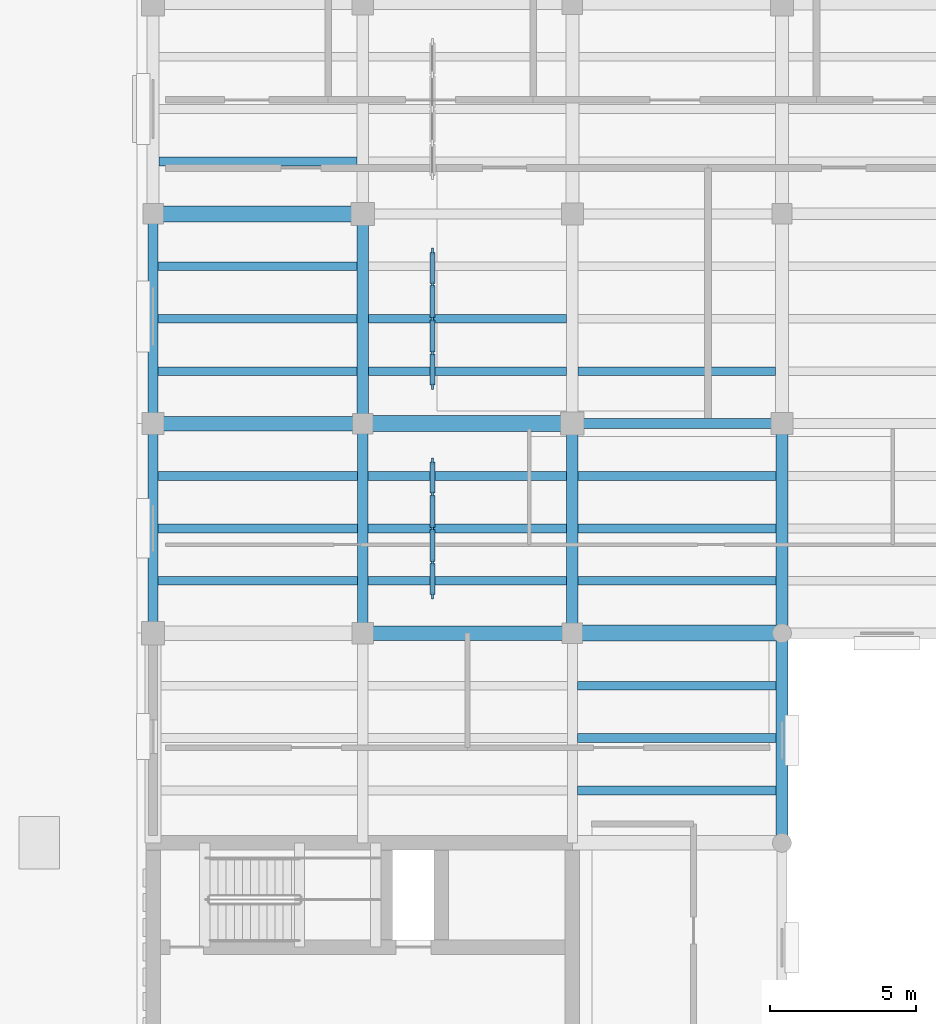
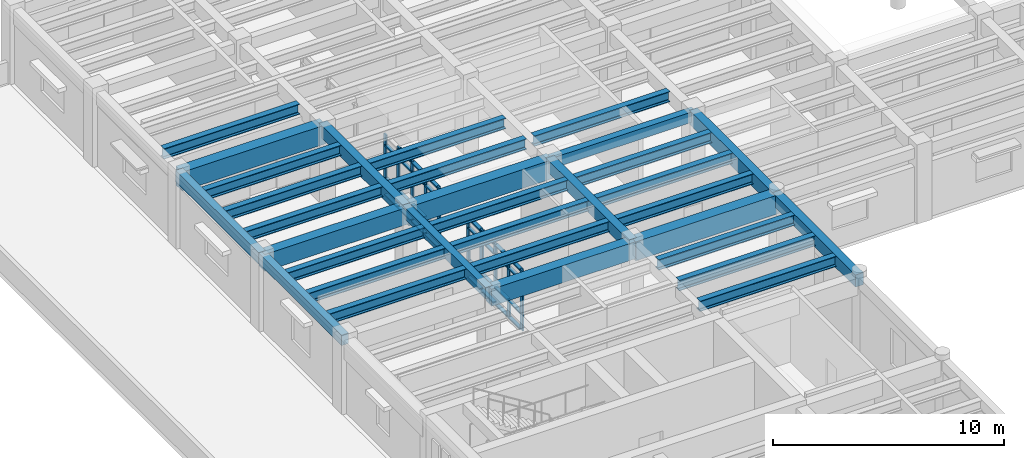
# One storey, part 13 of 76: 41 members, 32 beams, 2 elements without a shape of their own.
"""IFC4 building model written with IfcOpenShell, lengths in metres."""

from ifc_helpers import new_model, si_unit, direction, frame, origin, origin_2d, place, context, subcontext, project, spatial, rectangle, i_section, extrude, material, material_profile, profile_set, type_object, element, aggregate, save


model = new_model("IFC4")

# Units and contexts
model_context = context("Model", 3, precision=1e-05, world=origin(), true_north=direction((0.0, 1.0)))
body_context = subcontext(model_context, "Body", "Model", "MODEL_VIEW")
ifc_project = project(units=[si_unit("LENGTHUNIT", "METRE"), si_unit("AREAUNIT", "SQUARE_METRE"), si_unit("VOLUMEUNIT", "CUBIC_METRE"), si_unit("PLANEANGLEUNIT", "RADIAN"), si_unit("MASSUNIT", "GRAM", prefix="KILO")], contexts=[model_context])

# Site, building, storey
site_placement = place(None, origin())
site = spatial("IfcSite", under=ifc_project, at=site_placement, CompositionType="ELEMENT")
building_placement = place(site_placement, origin())
building = spatial("IfcBuilding", under=site, at=building_placement, Name="Mithqara Police Headquarters", CompositionType="ELEMENT")
storey_placement = place(building_placement, frame((0.0, 0.0, 5.39990234375)))
storey = spatial("IfcBuildingStorey", under=building, at=storey_placement, Name="L01", CompositionType="ELEMENT", Elevation=5.39990234375)

# Beams
ifc_material_1 = material(Name="Steel S355JR", Category="steel")
ifc_material_profile_1 = material_profile(ifc_material_1, i_section(OverallWidth=0.300048828125, OverallDepth=0.550048828125, WebThickness=0.014892578125, FlangeThickness=0.029052734375, FilletRadius=0.027099609375, at=origin_2d()), Name="HEB 550")
ifc_profile_set_1 = profile_set([ifc_material_profile_1], Name="Steel S355JR")
beam_type_1 = type_object("IfcBeamType", Name="BEAM HEB550", PredefinedType="BEAM", material=ifc_profile_set_1)
for number, where, z_axis, x_axis, name in (
    (1, (7.97509765625, 80.39990234375, 3.64501953125), (1.0, 0.0, 0.0), (0.0, 1.0, 0.0), "L01 Composite Steel Joist 2-3/M.1"),
    (2, (7.97509765625, 82.199951171875, 3.64501953125), (1.0, 0.0, 0.0), (0.0, 1.0, 0.0), "L01 Composite Steel Joist 2-3/M.2"),
    (3, (7.97509765625, 84.0, 3.64501953125), (1.0, 0.0, 0.0), (0.0, 1.0, 0.0), "L01 Composite Steel Joist 2-3/M.3"),
):
    element("IfcBeam", number, at=place(storey_placement, frame(where, z_axis=z_axis, x_axis=x_axis)), inside=storey, type_object=beam_type_1, Name=name, PredefinedType="BEAM", context=body_context, shape_type="SweptSolid", body=[
        extrude(i_section(OverallWidth=0.300048828125, OverallDepth=0.550048828125, WebThickness=0.014892578125, FlangeThickness=0.029052734375, FilletRadius=0.027099609375, at=origin_2d()), origin(), (0.0, 0.0, 1.0), 6.849853515625),
    ])
for number, where, z_axis, x_axis, name in (
    (4, (7.97509765625, 87.60009765625, 3.64501953125), (1.0, 0.0, 0.0), (0.0, 1.0, 0.0), "L01 Composite Steel Joist 2-3/N.1"),
    (5, (7.97509765625, 89.39990234375, 3.64501953125), (1.0, 0.0, 0.0), (0.0, 1.0, 0.0), "L01 Composite Steel Joist 2-3/N.2"),
    (6, (7.97509765625, 91.199951171875, 3.64501953125), (1.0, 0.0, 0.0), (0.0, 1.0, 0.0), "L01 Composite Steel Joist 2-3/N.3"),
):
    element("IfcBeam", number, at=place(storey_placement, frame(where, z_axis=z_axis, x_axis=x_axis)), inside=storey, type_object=beam_type_1, Name=name, PredefinedType="BEAM", context=body_context, shape_type="SweptSolid", body=[
        extrude(i_section(OverallWidth=0.300048828125, OverallDepth=0.550048828125, WebThickness=0.014892578125, FlangeThickness=0.029052734375, FilletRadius=0.027099609375, at=origin_2d()), origin(), (0.0, 0.0, 1.0), 6.824951171875),
    ])
beam_1_placement = place(storey_placement, frame((8.0, 94.800048828125, 3.64501953125), z_axis=(1.0, 0.0, 0.0), x_axis=(0.0, 1.0, 0.0)))
element("IfcBeam", 7, at=beam_1_placement, inside=storey, type_object=beam_type_1, Name="L01 Composite Steel Joist 2-3/P.1", PredefinedType="BEAM", context=body_context, shape_type="SweptSolid", body=[
    extrude(i_section(OverallWidth=0.300048828125, OverallDepth=0.550048828125, WebThickness=0.014892578125, FlangeThickness=0.029052734375, FilletRadius=0.027099609375, at=origin_2d()), origin(), (0.0, 0.0, 1.0), 6.800048828125),
])
for number, where, z_axis, x_axis, name in (
    (8, (15.175048828125, 80.39990234375, 3.64501953125), (1.0, 0.0, 0.0), (0.0, 1.0, 0.0), "L01 Composite Steel Joist 3-4/M.1"),
    (9, (15.175048828125, 82.199951171875, 3.64501953125), (1.0, 0.0, 0.0), (0.0, 1.0, 0.0), "L01 Composite Steel Joist 3-4/M.2"),
    (10, (15.175048828125, 84.0, 3.64501953125), (1.0, 0.0, 0.0), (0.0, 1.0, 0.0), "L01 Composite Steel Joist 3-4/M.3"),
):
    element("IfcBeam", number, at=place(storey_placement, frame(where, z_axis=z_axis, x_axis=x_axis)), inside=storey, type_object=beam_type_1, Name=name, PredefinedType="BEAM", context=body_context, shape_type="SweptSolid", body=[
        extrude(i_section(OverallWidth=0.300048828125, OverallDepth=0.550048828125, WebThickness=0.014892578125, FlangeThickness=0.029052734375, FilletRadius=0.027099609375, at=origin_2d()), origin(), (0.0, 0.0, 1.0), 6.824951171875),
    ])
for number, where, z_axis, x_axis, name in (
    (11, (15.199951171875, 87.60009765625, 3.64501953125), (1.0, 0.0, 0.0), (0.0, 1.0, 0.0), "L01 Composite Steel Joist 3-4/N.1"),
    (12, (15.199951171875, 89.39990234375, 3.64501953125), (1.0, 0.0, 0.0), (0.0, 1.0, 0.0), "L01 Composite Steel Joist 3-4/N.2"),
):
    element("IfcBeam", number, at=place(storey_placement, frame(where, z_axis=z_axis, x_axis=x_axis)), inside=storey, type_object=beam_type_1, Name=name, PredefinedType="BEAM", context=body_context, shape_type="SweptSolid", body=[
        extrude(i_section(OverallWidth=0.300048828125, OverallDepth=0.550048828125, WebThickness=0.014892578125, FlangeThickness=0.029052734375, FilletRadius=0.027099609375, at=origin_2d()), origin(), (0.0, 0.0, 1.0), 6.800048828125),
    ])
for number, where, z_axis, x_axis, name in (
    (13, (22.375, 73.199951171875, 3.64501953125), (1.0, 0.0, 0.0), (0.0, 1.0, 0.0), "L01 Composite Steel Joist 4-5/L.1"),
    (14, (22.375, 75.0, 3.64501953125), (1.0, 0.0, 0.0), (0.0, 1.0, 0.0), "L01 Composite Steel Joist 4-5/L.2"),
    (15, (22.375, 76.800048828125, 3.64501953125), (1.0, 0.0, 0.0), (0.0, 1.0, 0.0), "L01 Composite Steel Joist 4-5/L.3"),
):
    element("IfcBeam", number, at=place(storey_placement, frame(where, z_axis=z_axis, x_axis=x_axis)), inside=storey, type_object=beam_type_1, Name=name, PredefinedType="BEAM", context=body_context, shape_type="SweptSolid", body=[
        extrude(i_section(OverallWidth=0.300048828125, OverallDepth=0.550048828125, WebThickness=0.014892578125, FlangeThickness=0.029052734375, FilletRadius=0.027099609375, at=origin_2d()), origin(), (0.0, 0.0, 1.0), 6.824951171875),
    ])
for number, where, z_axis, x_axis, name in (
    (16, (22.39990234375, 80.39990234375, 3.64501953125), (1.0, 0.0, 0.0), (0.0, 1.0, 0.0), "L01 Composite Steel Joist 4-5/M.1"),
    (17, (22.39990234375, 82.199951171875, 3.64501953125), (1.0, 0.0, 0.0), (0.0, 1.0, 0.0), "L01 Composite Steel Joist 4-5/M.2"),
    (18, (22.39990234375, 84.0, 3.64501953125), (1.0, 0.0, 0.0), (0.0, 1.0, 0.0), "L01 Composite Steel Joist 4-5/M.3"),
):
    element("IfcBeam", number, at=place(storey_placement, frame(where, z_axis=z_axis, x_axis=x_axis)), inside=storey, type_object=beam_type_1, Name=name, PredefinedType="BEAM", context=body_context, shape_type="SweptSolid", body=[
        extrude(i_section(OverallWidth=0.300048828125, OverallDepth=0.550048828125, WebThickness=0.014892578125, FlangeThickness=0.029052734375, FilletRadius=0.027099609375, at=origin_2d()), origin(), (0.0, 0.0, 1.0), 6.800048828125),
    ])
beam_2_placement = place(storey_placement, frame((22.39990234375, 87.60009765625, 3.64501953125), z_axis=(1.0, 0.0, 0.0), x_axis=(0.0, 1.0, 0.0)))
element("IfcBeam", 19, at=beam_2_placement, inside=storey, type_object=beam_type_1, Name="L01 Composite Steel Joist 4-5/N.1", PredefinedType="BEAM", context=body_context, shape_type="SweptSolid", body=[
    extrude(i_section(OverallWidth=0.300048828125, OverallDepth=0.550048828125, WebThickness=0.014892578125, FlangeThickness=0.029052734375, FilletRadius=0.027099609375, at=origin_2d()), origin(), (0.0, 0.0, 1.0), 6.775146484375),
])
ifc_material_2 = material(Name="Concrete C40/50", Category="concrete")
ifc_material_profile_2 = material_profile(ifc_material_2, rectangle(XDim=0.35009765625, YDim=0.550048828125, at=origin_2d()), Name="RC 350x550")
ifc_profile_set_2 = profile_set([ifc_material_profile_2], Name="Concrete C40/50")
beam_type_2 = type_object("IfcBeamType", Name="BEAM RC350X550", PredefinedType="BEAM", material=ifc_profile_set_2)
for number, where, z_axis, x_axis, name in (
    (20, (7.800048828125, 78.60009765625, 3.64501953125), (0.0, 1.0, 0.0), (-1.0, 0.0, 0.0), "L01 Girder 2/M-N"),
    (21, (22.199951171875, 85.800048828125, 3.64501953125), (1.0, 0.0, 0.0), (0.0, 1.0, 0.0), "L01 Girder 4-5/N"),
):
    element("IfcBeam", number, at=place(storey_placement, frame(where, z_axis=z_axis, x_axis=x_axis)), inside=storey, type_object=beam_type_2, Name=name, PredefinedType="BEAM", context=body_context, shape_type="SweptSolid", body=[
        extrude(rectangle(XDim=0.35009765625, YDim=0.550048828125, at=origin_2d()), origin(), (0.0, 0.0, 1.0), 7.199951171875),
    ])
ifc_material_profile_3 = material_profile(ifc_material_2, rectangle(XDim=0.35009765625, YDim=0.60009765625, at=origin_2d()), Name="RC 350x600")
ifc_profile_set_3 = profile_set([ifc_material_profile_3], Name="Concrete C40/50")
beam_type_3 = type_object("IfcBeamType", Name="BEAM RC350X600", PredefinedType="BEAM", material=ifc_profile_set_3)
for number, where, z_axis, x_axis, name in (
    (22, (7.800048828125, 85.800048828125, 3.6201171875), (0.0, 1.0, 0.0), (-1.0, 0.0, 0.0), "L01 Girder 2/N-P"),
    (23, (15.0, 78.60009765625, 3.6201171875), (0.0, 1.0, 0.0), (-1.0, 0.0, 0.0), "L01 Girder 3/M-N"),
):
    element("IfcBeam", number, at=place(storey_placement, frame(where, z_axis=z_axis, x_axis=x_axis)), inside=storey, type_object=beam_type_3, Name=name, PredefinedType="BEAM", context=body_context, shape_type="SweptSolid", body=[
        extrude(rectangle(XDim=0.35009765625, YDim=0.60009765625, at=origin_2d()), origin(), (0.0, 0.0, 1.0), 7.199951171875),
    ])
ifc_material_profile_4 = material_profile(ifc_material_2, rectangle(XDim=0.39990234375, YDim=0.64990234375, at=origin_2d()), Name="RC 400x650")
ifc_profile_set_4 = profile_set([ifc_material_profile_4], Name="Concrete C40/50")
beam_type_4 = type_object("IfcBeamType", Name="BEAM RC400X650", PredefinedType="BEAM", material=ifc_profile_set_4)
for number, where, z_axis, x_axis, name in (
    (24, (15.0, 85.800048828125, 3.59521484375), (0.0, 1.0, 0.0), (-1.0, 0.0, 0.0), "L01 Girder 3/N-P"),
    (25, (22.199951171875, 78.60009765625, 3.59521484375), (0.0, 1.0, 0.0), (-1.0, 0.0, 0.0), "L01 Girder 4/M-N"),
):
    element("IfcBeam", number, at=place(storey_placement, frame(where, z_axis=z_axis, x_axis=x_axis)), inside=storey, type_object=beam_type_4, Name=name, PredefinedType="BEAM", context=body_context, shape_type="SweptSolid", body=[
        extrude(rectangle(XDim=0.39990234375, YDim=0.64990234375, at=origin_2d()), origin(), (0.0, 0.0, 1.0), 7.199951171875),
    ])
beam_3_placement = place(storey_placement, frame((29.39990234375, 71.39990234375, 3.59521484375), z_axis=(0.0, 1.0, 0.0), x_axis=(-1.0, 0.0, 0.0)))
element("IfcBeam", 26, at=beam_3_placement, inside=storey, type_object=beam_type_4, Name="L01 Girder 5/L-M", PredefinedType="BEAM", context=body_context, shape_type="SweptSolid", body=[
    extrude(rectangle(XDim=0.39990234375, YDim=0.64990234375, at=origin_2d()), origin(), (0.0, 0.0, 1.0), 7.2001953125),
])
ifc_material_profile_5 = material_profile(ifc_material_2, rectangle(XDim=0.39990234375, YDim=0.75, at=origin_2d()), Name="RC 400x750")
ifc_profile_set_5 = profile_set([ifc_material_profile_5], Name="Concrete C40/50")
beam_type_5 = type_object("IfcBeamType", Name="BEAM RC400X750", PredefinedType="BEAM", material=ifc_profile_set_5)
beam_4_placement = place(storey_placement, frame((29.39990234375, 78.60009765625, 3.545166015625), z_axis=(0.0, 1.0, 0.0), x_axis=(-1.0, 0.0, 0.0)))
element("IfcBeam", 27, at=beam_4_placement, inside=storey, type_object=beam_type_5, Name="L01 Girder 5/M-N", PredefinedType="BEAM", context=body_context, shape_type="SweptSolid", body=[
    extrude(rectangle(XDim=0.39990234375, YDim=0.75, at=origin_2d()), origin(), (0.0, 0.0, 1.0), 7.199951171875),
])
ifc_material_3 = material(Name="Concrete C50/60", Category="concrete")
ifc_material_profile_6 = material_profile(ifc_material_3, rectangle(XDim=0.5, YDim=0.89990234375, at=origin_2d()), Name="RC 500x900")
ifc_profile_set_6 = profile_set([ifc_material_profile_6], Name="Concrete C50/60")
beam_type_6 = type_object("IfcBeamType", Name="BEAM RC500X900", PredefinedType="BEAM", material=ifc_profile_set_6)
for number, where, z_axis, x_axis, name in (
    (28, (7.800048828125, 85.800048828125, 3.47021484375), (1.0, 0.0, 0.0), (0.0, 1.0, 0.0), "L01 Girder 2-3/N"),
    (29, (15.0, 78.60009765625, 3.47021484375), (1.0, 0.0, 0.0), (0.0, 1.0, 0.0), "L01 Girder 3-4/M"),
):
    element("IfcBeam", number, at=place(storey_placement, frame(where, z_axis=z_axis, x_axis=x_axis)), inside=storey, type_object=beam_type_6, Name=name, PredefinedType="BEAM", context=body_context, shape_type="SweptSolid", body=[
        extrude(rectangle(XDim=0.5, YDim=0.89990234375, at=origin_2d()), origin(), (0.0, 0.0, 1.0), 7.199951171875),
    ])
ifc_material_profile_7 = material_profile(ifc_material_3, rectangle(XDim=0.550048828125, YDim=1.0, at=origin_2d()), Name="RC 550x1000")
ifc_profile_set_7 = profile_set([ifc_material_profile_7], Name="Concrete C50/60")
beam_type_7 = type_object("IfcBeamType", Name="BEAM RC550X1000", PredefinedType="BEAM", material=ifc_profile_set_7)
for number, where, z_axis, x_axis, name in (
    (30, (7.800048828125, 93.0, 3.420166015625), (1.0, 0.0, 0.0), (0.0, 1.0, 0.0), "L01 Girder 2-3/P"),
    (31, (15.0, 85.800048828125, 3.420166015625), (1.0, 0.0, 0.0), (0.0, 1.0, 0.0), "L01 Girder 3-4/N"),
    (32, (22.199951171875, 78.60009765625, 3.420166015625), (1.0, 0.0, 0.0), (0.0, 1.0, 0.0), "L01 Girder 4-5/M"),
):
    element("IfcBeam", number, at=place(storey_placement, frame(where, z_axis=z_axis, x_axis=x_axis)), inside=storey, type_object=beam_type_7, Name=name, PredefinedType="BEAM", context=body_context, shape_type="SweptSolid", body=[
        extrude(rectangle(XDim=0.550048828125, YDim=1.0, at=origin_2d()), origin(), (0.0, 0.0, 1.0), 7.199951171875),
    ])

# Curtain wall, members
ifc_material_4 = material(Name="Bronze anodised aluminium 6063-T6", Category="aluminium")
curtain_wall_type = type_object("IfcCurtainWallType", Name="CURTAIN WALL 4700X3200", PredefinedType="USERDEFINED", material=ifc_material_4)
curtain_wall_1_placement = place(storey_placement, origin())
curtain_wall_1 = element("IfcCurtainWall", 33, at=curtain_wall_1_placement, inside=storey, type_object=curtain_wall_type, Name="L01 Unitised Glazing CW-15 (CW-INT-L01-X02-Y11-0)", ObjectType="UNITISED GLAZING", PredefinedType="USERDEFINED")
ifc_material_profile_8 = material_profile(ifc_material_4, rectangle(XDim=0.074951171875, YDim=0.219970703125, at=origin_2d()), Name="CWM 75x220")
ifc_profile_set_8 = profile_set([ifc_material_profile_8], Name="Bronze anodised aluminium 6063-T6")
member_type_1 = type_object("IfcMemberType", Name="CWMULLION 75X220", PredefinedType="MULLION", material=ifc_profile_set_8)
member_1_placement = place(storey_placement, frame((17.39990234375, 79.887451171875, 0.0), z_axis=(0.0, 0.0, 1.0), x_axis=(-1.0, 0.0, 0.0)))
member_1 = element("IfcMember", 34, at=member_1_placement, type_object=member_type_1, Name="CW-15 mullion 1", PredefinedType="MULLION", context=body_context, shape_type="SweptSolid", body=[
    extrude(rectangle(XDim=0.074951171875, YDim=0.219970703125, at=origin_2d()), origin(), (0.0, 0.0, 1.0), 3.2001953125),
])
member_2_placement = place(storey_placement, frame((17.39990234375, 81.02490234375, 0.0), z_axis=(0.0, 0.0, 1.0), x_axis=(-1.0, 0.0, 0.0)))
member_2 = element("IfcMember", 35, at=member_2_placement, type_object=member_type_1, Name="CW-15 mullion 2", PredefinedType="MULLION", context=body_context, shape_type="SweptSolid", body=[
    extrude(rectangle(XDim=0.074951171875, YDim=0.219970703125, at=origin_2d()), origin(), (0.0, 0.0, 1.0), 3.2001953125),
])
member_3_placement = place(storey_placement, frame((17.39990234375, 82.199951171875, 0.0), z_axis=(0.0, 0.0, 1.0), x_axis=(-1.0, 0.0, 0.0)))
member_3 = element("IfcMember", 36, at=member_3_placement, type_object=member_type_1, Name="CW-15 mullion 3", PredefinedType="MULLION", context=body_context, shape_type="SweptSolid", body=[
    extrude(rectangle(XDim=0.074951171875, YDim=0.219970703125, at=origin_2d()), origin(), (0.0, 0.0, 1.0), 3.2001953125),
])
member_4_placement = place(storey_placement, frame((17.39990234375, 83.375, 0.0), z_axis=(0.0, 0.0, 1.0), x_axis=(-1.0, 0.0, 0.0)))
member_4 = element("IfcMember", 37, at=member_4_placement, type_object=member_type_1, Name="CW-15 mullion 4", PredefinedType="MULLION", context=body_context, shape_type="SweptSolid", body=[
    extrude(rectangle(XDim=0.074951171875, YDim=0.219970703125, at=origin_2d()), origin(), (0.0, 0.0, 1.0), 3.2001953125),
])
member_5_placement = place(storey_placement, frame((17.39990234375, 84.512451171875, 0.0), z_axis=(0.0, 0.0, 1.0), x_axis=(-1.0, 0.0, 0.0)))
member_5 = element("IfcMember", 38, at=member_5_placement, type_object=member_type_1, Name="CW-15 mullion 5", PredefinedType="MULLION", context=body_context, shape_type="SweptSolid", body=[
    extrude(rectangle(XDim=0.074951171875, YDim=0.219970703125, at=origin_2d()), origin(), (0.0, 0.0, 1.0), 3.2001953125),
])

curtain_wall_2_placement = place(storey_placement, origin())
curtain_wall_2 = element("IfcCurtainWall", 39, at=curtain_wall_2_placement, inside=storey, type_object=curtain_wall_type, Name="L01 Unitised Glazing CW-15 (CW-INT-L01-X02-Y12-0)", ObjectType="UNITISED GLAZING", PredefinedType="USERDEFINED")
member_6_placement = place(storey_placement, frame((17.39990234375, 87.08740234375, 0.0), z_axis=(0.0, 0.0, 1.0), x_axis=(-1.0, 0.0, 0.0)))
member_6 = element("IfcMember", 40, at=member_6_placement, type_object=member_type_1, Name="CW-15 mullion 1", PredefinedType="MULLION", context=body_context, shape_type="SweptSolid", body=[
    extrude(rectangle(XDim=0.074951171875, YDim=0.219970703125, at=origin_2d()), origin(), (0.0, 0.0, 1.0), 3.2001953125),
])
member_7_placement = place(storey_placement, frame((17.39990234375, 88.22509765625, 0.0), z_axis=(0.0, 0.0, 1.0), x_axis=(-1.0, 0.0, 0.0)))
member_7 = element("IfcMember", 41, at=member_7_placement, type_object=member_type_1, Name="CW-15 mullion 2", PredefinedType="MULLION", context=body_context, shape_type="SweptSolid", body=[
    extrude(rectangle(XDim=0.074951171875, YDim=0.219970703125, at=origin_2d()), origin(), (0.0, 0.0, 1.0), 3.2001953125),
])
member_8_placement = place(storey_placement, frame((17.39990234375, 89.39990234375, 0.0), z_axis=(0.0, 0.0, 1.0), x_axis=(-1.0, 0.0, 0.0)))
member_8 = element("IfcMember", 42, at=member_8_placement, type_object=member_type_1, Name="CW-15 mullion 3", PredefinedType="MULLION", context=body_context, shape_type="SweptSolid", body=[
    extrude(rectangle(XDim=0.074951171875, YDim=0.219970703125, at=origin_2d()), origin(), (0.0, 0.0, 1.0), 3.2001953125),
])
member_9_placement = place(storey_placement, frame((17.39990234375, 90.574951171875, 0.0), z_axis=(0.0, 0.0, 1.0), x_axis=(-1.0, 0.0, 0.0)))
member_9 = element("IfcMember", 43, at=member_9_placement, type_object=member_type_1, Name="CW-15 mullion 4", PredefinedType="MULLION", context=body_context, shape_type="SweptSolid", body=[
    extrude(rectangle(XDim=0.074951171875, YDim=0.219970703125, at=origin_2d()), origin(), (0.0, 0.0, 1.0), 3.2001953125),
])
member_10_placement = place(storey_placement, frame((17.39990234375, 91.71240234375, 0.0), z_axis=(0.0, 0.0, 1.0), x_axis=(-1.0, 0.0, 0.0)))
member_10 = element("IfcMember", 44, at=member_10_placement, type_object=member_type_1, Name="CW-15 mullion 5", PredefinedType="MULLION", context=body_context, shape_type="SweptSolid", body=[
    extrude(rectangle(XDim=0.074951171875, YDim=0.219970703125, at=origin_2d()), origin(), (0.0, 0.0, 1.0), 3.2001953125),
])

# Member
ifc_material_profile_9 = material_profile(ifc_material_4, rectangle(XDim=0.179931640625, YDim=0.074951171875, at=origin_2d()), Name="CWT 180x75")
ifc_profile_set_9 = profile_set([ifc_material_profile_9], Name="Bronze anodised aluminium 6063-T6")
member_type_2 = type_object("IfcMemberType", Name="CWTRANSOM 180X75", PredefinedType="USERDEFINED", material=ifc_profile_set_9)
member_11_placement = place(storey_placement, frame((17.39990234375, 79.925048828125, 0.03759765625), z_axis=(0.0, 1.0, 0.0), x_axis=(-1.0, 0.0, 0.0)))
member_11 = element("IfcMember", 45, at=member_11_placement, type_object=member_type_2, Name="CW-15 transom 1.1", ObjectType="TRANSOM", PredefinedType="USERDEFINED", context=body_context, shape_type="SweptSolid", body=[
    extrude(rectangle(XDim=0.179931640625, YDim=0.074951171875, at=origin_2d()), origin(), (0.0, 0.0, 1.0), 1.0625),
])

member_12_placement = place(storey_placement, frame((17.39990234375, 79.925048828125, 0.900146484375), z_axis=(0.0, 1.0, 0.0), x_axis=(-1.0, 0.0, 0.0)))
member_12 = element("IfcMember", 46, at=member_12_placement, type_object=member_type_2, Name="CW-15 transom 1.2", ObjectType="TRANSOM", PredefinedType="USERDEFINED", context=body_context, shape_type="SweptSolid", body=[
    extrude(rectangle(XDim=0.179931640625, YDim=0.074951171875, at=origin_2d()), origin(), (0.0, 0.0, 1.0), 1.0625),
])

member_13_placement = place(storey_placement, frame((17.39990234375, 79.925048828125, 2.650146484375), z_axis=(0.0, 1.0, 0.0), x_axis=(-1.0, 0.0, 0.0)))
member_13 = element("IfcMember", 47, at=member_13_placement, type_object=member_type_2, Name="CW-15 transom 1.3", ObjectType="TRANSOM", PredefinedType="USERDEFINED", context=body_context, shape_type="SweptSolid", body=[
    extrude(rectangle(XDim=0.179931640625, YDim=0.074951171875, at=origin_2d()), origin(), (0.0, 0.0, 1.0), 1.0625),
])

member_14_placement = place(storey_placement, frame((17.39990234375, 79.925048828125, 3.16259765625), z_axis=(0.0, 1.0, 0.0), x_axis=(-1.0, 0.0, 0.0)))
member_14 = element("IfcMember", 48, at=member_14_placement, type_object=member_type_2, Name="CW-15 transom 1.4", ObjectType="TRANSOM", PredefinedType="USERDEFINED", context=body_context, shape_type="SweptSolid", body=[
    extrude(rectangle(XDim=0.179931640625, YDim=0.074951171875, at=origin_2d()), origin(), (0.0, 0.0, 1.0), 1.0625),
])

member_15_placement = place(storey_placement, frame((17.39990234375, 81.0625, 0.03759765625), z_axis=(0.0, 1.0, 0.0), x_axis=(-1.0, 0.0, 0.0)))
member_15 = element("IfcMember", 49, at=member_15_placement, type_object=member_type_2, Name="CW-15 transom 2.1", ObjectType="TRANSOM", PredefinedType="USERDEFINED", context=body_context, shape_type="SweptSolid", body=[
    extrude(rectangle(XDim=0.179931640625, YDim=0.074951171875, at=origin_2d()), origin(), (0.0, 0.0, 1.0), 1.10009765625),
])

member_16_placement = place(storey_placement, frame((17.39990234375, 81.0625, 0.900146484375), z_axis=(0.0, 1.0, 0.0), x_axis=(-1.0, 0.0, 0.0)))
member_16 = element("IfcMember", 50, at=member_16_placement, type_object=member_type_2, Name="CW-15 transom 2.2", ObjectType="TRANSOM", PredefinedType="USERDEFINED", context=body_context, shape_type="SweptSolid", body=[
    extrude(rectangle(XDim=0.179931640625, YDim=0.074951171875, at=origin_2d()), origin(), (0.0, 0.0, 1.0), 1.10009765625),
])

member_17_placement = place(storey_placement, frame((17.39990234375, 81.0625, 2.650146484375), z_axis=(0.0, 1.0, 0.0), x_axis=(-1.0, 0.0, 0.0)))
member_17 = element("IfcMember", 51, at=member_17_placement, type_object=member_type_2, Name="CW-15 transom 2.3", ObjectType="TRANSOM", PredefinedType="USERDEFINED", context=body_context, shape_type="SweptSolid", body=[
    extrude(rectangle(XDim=0.179931640625, YDim=0.074951171875, at=origin_2d()), origin(), (0.0, 0.0, 1.0), 1.10009765625),
])

member_18_placement = place(storey_placement, frame((17.39990234375, 81.0625, 3.16259765625), z_axis=(0.0, 1.0, 0.0), x_axis=(-1.0, 0.0, 0.0)))
member_18 = element("IfcMember", 52, at=member_18_placement, type_object=member_type_2, Name="CW-15 transom 2.4", ObjectType="TRANSOM", PredefinedType="USERDEFINED", context=body_context, shape_type="SweptSolid", body=[
    extrude(rectangle(XDim=0.179931640625, YDim=0.074951171875, at=origin_2d()), origin(), (0.0, 0.0, 1.0), 1.10009765625),
])

member_19_placement = place(storey_placement, frame((17.39990234375, 82.237548828125, 0.03759765625), z_axis=(0.0, 1.0, 0.0), x_axis=(-1.0, 0.0, 0.0)))
member_19 = element("IfcMember", 53, at=member_19_placement, type_object=member_type_2, Name="CW-15 transom 3.1", ObjectType="TRANSOM", PredefinedType="USERDEFINED", context=body_context, shape_type="SweptSolid", body=[
    extrude(rectangle(XDim=0.179931640625, YDim=0.074951171875, at=origin_2d()), origin(), (0.0, 0.0, 1.0), 1.099853515625),
])

member_20_placement = place(storey_placement, frame((17.39990234375, 82.237548828125, 0.900146484375), z_axis=(0.0, 1.0, 0.0), x_axis=(-1.0, 0.0, 0.0)))
member_20 = element("IfcMember", 54, at=member_20_placement, type_object=member_type_2, Name="CW-15 transom 3.2", ObjectType="TRANSOM", PredefinedType="USERDEFINED", context=body_context, shape_type="SweptSolid", body=[
    extrude(rectangle(XDim=0.179931640625, YDim=0.074951171875, at=origin_2d()), origin(), (0.0, 0.0, 1.0), 1.099853515625),
])

member_21_placement = place(storey_placement, frame((17.39990234375, 82.237548828125, 2.650146484375), z_axis=(0.0, 1.0, 0.0), x_axis=(-1.0, 0.0, 0.0)))
member_21 = element("IfcMember", 55, at=member_21_placement, type_object=member_type_2, Name="CW-15 transom 3.3", ObjectType="TRANSOM", PredefinedType="USERDEFINED", context=body_context, shape_type="SweptSolid", body=[
    extrude(rectangle(XDim=0.179931640625, YDim=0.074951171875, at=origin_2d()), origin(), (0.0, 0.0, 1.0), 1.099853515625),
])

member_22_placement = place(storey_placement, frame((17.39990234375, 82.237548828125, 3.16259765625), z_axis=(0.0, 1.0, 0.0), x_axis=(-1.0, 0.0, 0.0)))
member_22 = element("IfcMember", 56, at=member_22_placement, type_object=member_type_2, Name="CW-15 transom 3.4", ObjectType="TRANSOM", PredefinedType="USERDEFINED", context=body_context, shape_type="SweptSolid", body=[
    extrude(rectangle(XDim=0.179931640625, YDim=0.074951171875, at=origin_2d()), origin(), (0.0, 0.0, 1.0), 1.099853515625),
])

member_23_placement = place(storey_placement, frame((17.39990234375, 83.41259765625, 0.03759765625), z_axis=(0.0, 1.0, 0.0), x_axis=(-1.0, 0.0, 0.0)))
member_23 = element("IfcMember", 57, at=member_23_placement, type_object=member_type_2, Name="CW-15 transom 4.1", ObjectType="TRANSOM", PredefinedType="USERDEFINED", context=body_context, shape_type="SweptSolid", body=[
    extrude(rectangle(XDim=0.179931640625, YDim=0.074951171875, at=origin_2d()), origin(), (0.0, 0.0, 1.0), 1.0625),
])

member_24_placement = place(storey_placement, frame((17.39990234375, 83.41259765625, 0.900146484375), z_axis=(0.0, 1.0, 0.0), x_axis=(-1.0, 0.0, 0.0)))
member_24 = element("IfcMember", 58, at=member_24_placement, type_object=member_type_2, Name="CW-15 transom 4.2", ObjectType="TRANSOM", PredefinedType="USERDEFINED", context=body_context, shape_type="SweptSolid", body=[
    extrude(rectangle(XDim=0.179931640625, YDim=0.074951171875, at=origin_2d()), origin(), (0.0, 0.0, 1.0), 1.0625),
])

member_25_placement = place(storey_placement, frame((17.39990234375, 83.41259765625, 2.650146484375), z_axis=(0.0, 1.0, 0.0), x_axis=(-1.0, 0.0, 0.0)))
member_25 = element("IfcMember", 59, at=member_25_placement, type_object=member_type_2, Name="CW-15 transom 4.3", ObjectType="TRANSOM", PredefinedType="USERDEFINED", context=body_context, shape_type="SweptSolid", body=[
    extrude(rectangle(XDim=0.179931640625, YDim=0.074951171875, at=origin_2d()), origin(), (0.0, 0.0, 1.0), 1.0625),
])

member_26_placement = place(storey_placement, frame((17.39990234375, 83.41259765625, 3.16259765625), z_axis=(0.0, 1.0, 0.0), x_axis=(-1.0, 0.0, 0.0)))
member_26 = element("IfcMember", 60, at=member_26_placement, type_object=member_type_2, Name="CW-15 transom 4.4", ObjectType="TRANSOM", PredefinedType="USERDEFINED", context=body_context, shape_type="SweptSolid", body=[
    extrude(rectangle(XDim=0.179931640625, YDim=0.074951171875, at=origin_2d()), origin(), (0.0, 0.0, 1.0), 1.0625),
])

aggregate(curtain_wall_1, [member_1, member_2, member_3, member_4, member_5, member_11, member_12, member_13, member_14, member_15, member_16, member_17, member_18, member_19, member_20, member_21, member_22, member_23, member_24, member_25, member_26])

member_27_placement = place(storey_placement, frame((17.39990234375, 87.125, 0.03759765625), z_axis=(0.0, 1.0, 0.0), x_axis=(-1.0, 0.0, 0.0)))
member_27 = element("IfcMember", 61, at=member_27_placement, type_object=member_type_2, Name="CW-15 transom 1.1", ObjectType="TRANSOM", PredefinedType="USERDEFINED", context=body_context, shape_type="SweptSolid", body=[
    extrude(rectangle(XDim=0.179931640625, YDim=0.074951171875, at=origin_2d()), origin(), (0.0, 0.0, 1.0), 1.0625),
])

member_28_placement = place(storey_placement, frame((17.39990234375, 87.125, 0.900146484375), z_axis=(0.0, 1.0, 0.0), x_axis=(-1.0, 0.0, 0.0)))
member_28 = element("IfcMember", 62, at=member_28_placement, type_object=member_type_2, Name="CW-15 transom 1.2", ObjectType="TRANSOM", PredefinedType="USERDEFINED", context=body_context, shape_type="SweptSolid", body=[
    extrude(rectangle(XDim=0.179931640625, YDim=0.074951171875, at=origin_2d()), origin(), (0.0, 0.0, 1.0), 1.0625),
])

member_29_placement = place(storey_placement, frame((17.39990234375, 87.125, 2.650146484375), z_axis=(0.0, 1.0, 0.0), x_axis=(-1.0, 0.0, 0.0)))
member_29 = element("IfcMember", 63, at=member_29_placement, type_object=member_type_2, Name="CW-15 transom 1.3", ObjectType="TRANSOM", PredefinedType="USERDEFINED", context=body_context, shape_type="SweptSolid", body=[
    extrude(rectangle(XDim=0.179931640625, YDim=0.074951171875, at=origin_2d()), origin(), (0.0, 0.0, 1.0), 1.0625),
])

member_30_placement = place(storey_placement, frame((17.39990234375, 87.125, 3.16259765625), z_axis=(0.0, 1.0, 0.0), x_axis=(-1.0, 0.0, 0.0)))
member_30 = element("IfcMember", 64, at=member_30_placement, type_object=member_type_2, Name="CW-15 transom 1.4", ObjectType="TRANSOM", PredefinedType="USERDEFINED", context=body_context, shape_type="SweptSolid", body=[
    extrude(rectangle(XDim=0.179931640625, YDim=0.074951171875, at=origin_2d()), origin(), (0.0, 0.0, 1.0), 1.0625),
])

member_31_placement = place(storey_placement, frame((17.39990234375, 88.262451171875, 0.03759765625), z_axis=(0.0, 1.0, 0.0), x_axis=(-1.0, 0.0, 0.0)))
member_31 = element("IfcMember", 65, at=member_31_placement, type_object=member_type_2, Name="CW-15 transom 2.1", ObjectType="TRANSOM", PredefinedType="USERDEFINED", context=body_context, shape_type="SweptSolid", body=[
    extrude(rectangle(XDim=0.179931640625, YDim=0.074951171875, at=origin_2d()), origin(), (0.0, 0.0, 1.0), 1.10009765625),
])

member_32_placement = place(storey_placement, frame((17.39990234375, 88.262451171875, 0.900146484375), z_axis=(0.0, 1.0, 0.0), x_axis=(-1.0, 0.0, 0.0)))
member_32 = element("IfcMember", 66, at=member_32_placement, type_object=member_type_2, Name="CW-15 transom 2.2", ObjectType="TRANSOM", PredefinedType="USERDEFINED", context=body_context, shape_type="SweptSolid", body=[
    extrude(rectangle(XDim=0.179931640625, YDim=0.074951171875, at=origin_2d()), origin(), (0.0, 0.0, 1.0), 1.10009765625),
])

member_33_placement = place(storey_placement, frame((17.39990234375, 88.262451171875, 2.650146484375), z_axis=(0.0, 1.0, 0.0), x_axis=(-1.0, 0.0, 0.0)))
member_33 = element("IfcMember", 67, at=member_33_placement, type_object=member_type_2, Name="CW-15 transom 2.3", ObjectType="TRANSOM", PredefinedType="USERDEFINED", context=body_context, shape_type="SweptSolid", body=[
    extrude(rectangle(XDim=0.179931640625, YDim=0.074951171875, at=origin_2d()), origin(), (0.0, 0.0, 1.0), 1.10009765625),
])

member_34_placement = place(storey_placement, frame((17.39990234375, 88.262451171875, 3.16259765625), z_axis=(0.0, 1.0, 0.0), x_axis=(-1.0, 0.0, 0.0)))
member_34 = element("IfcMember", 68, at=member_34_placement, type_object=member_type_2, Name="CW-15 transom 2.4", ObjectType="TRANSOM", PredefinedType="USERDEFINED", context=body_context, shape_type="SweptSolid", body=[
    extrude(rectangle(XDim=0.179931640625, YDim=0.074951171875, at=origin_2d()), origin(), (0.0, 0.0, 1.0), 1.10009765625),
])

member_35_placement = place(storey_placement, frame((17.39990234375, 89.4375, 0.03759765625), z_axis=(0.0, 1.0, 0.0), x_axis=(-1.0, 0.0, 0.0)))
member_35 = element("IfcMember", 69, at=member_35_placement, type_object=member_type_2, Name="CW-15 transom 3.1", ObjectType="TRANSOM", PredefinedType="USERDEFINED", context=body_context, shape_type="SweptSolid", body=[
    extrude(rectangle(XDim=0.179931640625, YDim=0.074951171875, at=origin_2d()), origin(), (0.0, 0.0, 1.0), 1.10009765625),
])

member_36_placement = place(storey_placement, frame((17.39990234375, 89.4375, 0.900146484375), z_axis=(0.0, 1.0, 0.0), x_axis=(-1.0, 0.0, 0.0)))
member_36 = element("IfcMember", 70, at=member_36_placement, type_object=member_type_2, Name="CW-15 transom 3.2", ObjectType="TRANSOM", PredefinedType="USERDEFINED", context=body_context, shape_type="SweptSolid", body=[
    extrude(rectangle(XDim=0.179931640625, YDim=0.074951171875, at=origin_2d()), origin(), (0.0, 0.0, 1.0), 1.10009765625),
])

member_37_placement = place(storey_placement, frame((17.39990234375, 89.4375, 2.650146484375), z_axis=(0.0, 1.0, 0.0), x_axis=(-1.0, 0.0, 0.0)))
member_37 = element("IfcMember", 71, at=member_37_placement, type_object=member_type_2, Name="CW-15 transom 3.3", ObjectType="TRANSOM", PredefinedType="USERDEFINED", context=body_context, shape_type="SweptSolid", body=[
    extrude(rectangle(XDim=0.179931640625, YDim=0.074951171875, at=origin_2d()), origin(), (0.0, 0.0, 1.0), 1.10009765625),
])

member_38_placement = place(storey_placement, frame((17.39990234375, 89.4375, 3.16259765625), z_axis=(0.0, 1.0, 0.0), x_axis=(-1.0, 0.0, 0.0)))
member_38 = element("IfcMember", 72, at=member_38_placement, type_object=member_type_2, Name="CW-15 transom 3.4", ObjectType="TRANSOM", PredefinedType="USERDEFINED", context=body_context, shape_type="SweptSolid", body=[
    extrude(rectangle(XDim=0.179931640625, YDim=0.074951171875, at=origin_2d()), origin(), (0.0, 0.0, 1.0), 1.10009765625),
])

member_39_placement = place(storey_placement, frame((17.39990234375, 90.612548828125, 0.03759765625), z_axis=(0.0, 1.0, 0.0), x_axis=(-1.0, 0.0, 0.0)))
member_39 = element("IfcMember", 73, at=member_39_placement, type_object=member_type_2, Name="CW-15 transom 4.1", ObjectType="TRANSOM", PredefinedType="USERDEFINED", context=body_context, shape_type="SweptSolid", body=[
    extrude(rectangle(XDim=0.179931640625, YDim=0.074951171875, at=origin_2d()), origin(), (0.0, 0.0, 1.0), 1.0625),
])

member_40_placement = place(storey_placement, frame((17.39990234375, 90.612548828125, 0.900146484375), z_axis=(0.0, 1.0, 0.0), x_axis=(-1.0, 0.0, 0.0)))
member_40 = element("IfcMember", 74, at=member_40_placement, type_object=member_type_2, Name="CW-15 transom 4.2", ObjectType="TRANSOM", PredefinedType="USERDEFINED", context=body_context, shape_type="SweptSolid", body=[
    extrude(rectangle(XDim=0.179931640625, YDim=0.074951171875, at=origin_2d()), origin(), (0.0, 0.0, 1.0), 1.0625),
])

member_41_placement = place(storey_placement, frame((17.39990234375, 90.612548828125, 2.650146484375), z_axis=(0.0, 1.0, 0.0), x_axis=(-1.0, 0.0, 0.0)))
member_41 = element("IfcMember", 75, at=member_41_placement, type_object=member_type_2, Name="CW-15 transom 4.3", ObjectType="TRANSOM", PredefinedType="USERDEFINED", context=body_context, shape_type="SweptSolid", body=[
    extrude(rectangle(XDim=0.179931640625, YDim=0.074951171875, at=origin_2d()), origin(), (0.0, 0.0, 1.0), 1.0625),
])

aggregate(curtain_wall_2, [member_6, member_7, member_8, member_9, member_10, member_27, member_28, member_29, member_30, member_31, member_32, member_33, member_34, member_35, member_36, member_37, member_38, member_39, member_40, member_41])

save(model, "model.ifc")
